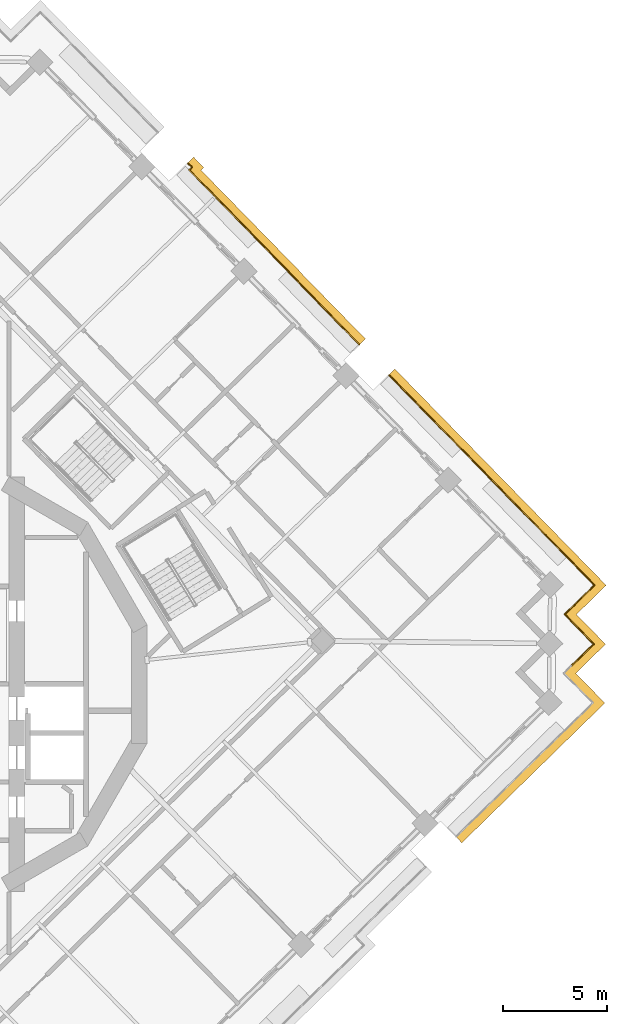
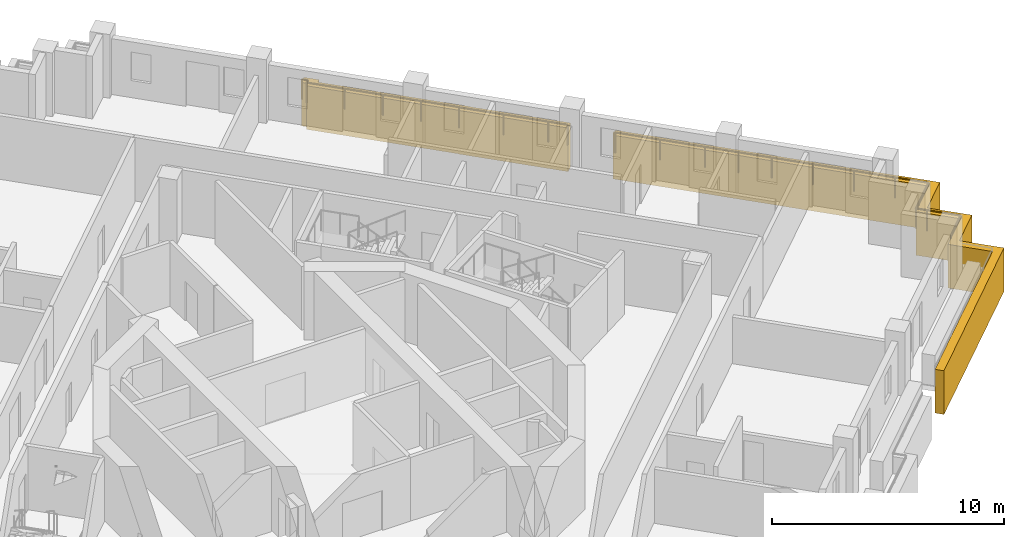
# One storey, part 16 of 17: 2 coverings, 2 railings.
"""IFC4 building model written with IfcOpenShell, lengths in metres."""

from ifc_helpers import new_model, si_unit, direction, frame, origin, origin_2d, place, context, subcontext, project, spatial, polyline, circle, outline, extrude, material, type_object, element, save


model = new_model("IFC4")

# Units and contexts
model_context = context("Model", 3, precision=1e-05, world=origin(), true_north=direction((0.0, 1.0)))
body_context = subcontext(model_context, "Body", "Model", "MODEL_VIEW")
ifc_project = project(units=[si_unit("LENGTHUNIT", "METRE"), si_unit("AREAUNIT", "SQUARE_METRE"), si_unit("VOLUMEUNIT", "CUBIC_METRE"), si_unit("PLANEANGLEUNIT", "RADIAN"), si_unit("MASSUNIT", "GRAM", prefix="KILO")], contexts=[model_context])

# Site, building, storey
site_placement = place(None, origin())
site = spatial("IfcSite", under=ifc_project, at=site_placement, CompositionType="ELEMENT")
building_placement = place(site_placement, origin())
building = spatial("IfcBuilding", under=site, at=building_placement, Name="Cantera Rosa Tower", CompositionType="ELEMENT")
storey_placement = place(building_placement, frame((0.0, 0.0, 227.0)))
storey = spatial("IfcBuildingStorey", under=building, at=storey_placement, Name="L49", CompositionType="ELEMENT", Elevation=227.0)

# Railings
ifc_material_1 = material(Name="Stainless steel and laminated glass", Category="steel")
railing_type = type_object("IfcRailingType", Name="GUARD 1100", PredefinedType="BALUSTRADE", material=ifc_material_1)
railing_1_placement = place(storey_placement, frame((22.26416015625, 14.845703125, 0.0)))
element("IfcRailing", 1, at=railing_1_placement, inside=storey, type_object=railing_type, Name="GUARD L49-8", PredefinedType="BALUSTRADE", context=body_context, shape_type="SweptSolid", body=[
    extrude(circle(Radius=0.030029296875, at=origin_2d()), frame((0.0, 0.0, 1.070068359375), z_axis=(0.700106234421, -0.714038696798, 0.0), x_axis=(0.714038696798, 0.700106234421, 0.0)), (0.0, 0.0, 1.0), 0.070068359375),
    extrude(circle(Radius=0.030029296875, at=origin_2d()), frame((0.049072265625, -0.050048828125, 1.070068359375), z_axis=(0.698829866575, -0.715287926351, 0.0), x_axis=(0.715287926351, 0.698829866575, 0.0)), (0.0, 0.0, 1.0), 4.02001953125),
    extrude(circle(Radius=0.030029296875, at=origin_2d()), frame((2.8583984375, -2.925537109375, 1.070068359375), z_axis=(0.698839281014, -0.715278728407, 0.0), x_axis=(0.715278728407, 0.698839281014, 0.0)), (0.0, 0.0, 1.0), 3.0),
    extrude(circle(Radius=0.030029296875, at=origin_2d()), frame((4.954833984375, -5.0712890625, 1.070068359375), z_axis=(0.698810055914, -0.715307280652, 0.0), x_axis=(0.715307280652, 0.698810055914, 0.0)), (0.0, 0.0, 1.0), 5.52001953125),
    extrude(circle(Radius=0.030029296875, at=origin_2d()), frame((8.812255859375, -9.019775390625, 1.070068359375), z_axis=(0.698921594874, -0.71519829713, 0.0), x_axis=(0.71519829713, 0.698921594874, 0.0)), (0.0, 0.0, 1.0), 1.5),
    extrude(circle(Radius=0.030029296875, at=origin_2d()), frame((9.860595703125, -10.092529296875, 1.070068359375), z_axis=(-0.715277793538, -0.698840237873, 0.0), x_axis=(0.698840237873, -0.715277793538, 0.0)), (0.0, 0.0, 1.0), 1.5),
    extrude(circle(Radius=0.030029296875, at=origin_2d()), frame((8.78759765625, -11.140869140625, 1.070068359375), z_axis=(-0.715359149995, -0.698756958118, 0.0), x_axis=(0.698756958118, -0.715359149995, 0.0)), (0.0, 0.0, 1.0), 0.5),
    extrude(circle(Radius=0.030029296875, at=origin_2d()), frame((8.429931640625, -11.490234375, 1.070068359375), z_axis=(0.699006712162, -0.715115107065, 0.0), x_axis=(0.715115107065, 0.699006712162, 0.0)), (0.0, 0.0, 1.0), 0.500244140625),
    extrude(circle(Radius=0.030029296875, at=origin_2d()), frame((8.779541015625, -11.847900390625, 1.070068359375), z_axis=(0.698756958118, -0.715359149995, 0.0), x_axis=(0.715359149995, 0.698756958118, 0.0)), (0.0, 0.0, 1.0), 1.5),
    extrude(circle(Radius=0.030029296875, at=origin_2d()), frame((9.82763671875, -12.9208984375, 1.070068359375), z_axis=(-0.71519829713, -0.698921594874, 0.0), x_axis=(0.698921594874, -0.71519829713, 0.0)), (0.0, 0.0, 1.0), 1.5),
    extrude(circle(Radius=0.02490234375, at=origin_2d()), origin(), (0.0, 0.0, 1.0), 1.0400390625),
    extrude(circle(Radius=0.02490234375, at=origin_2d()), frame((0.049072265625, -0.050048828125, 0.0)), (0.0, 0.0, 1.0), 1.0400390625),
    extrude(circle(Radius=0.02490234375, at=origin_2d()), frame((1.45361328125, -1.48779296875, 0.0)), (0.0, 0.0, 1.0), 1.0400390625),
    extrude(circle(Radius=0.02490234375, at=origin_2d()), frame((2.8583984375, -2.925537109375, 0.0)), (0.0, 0.0, 1.0), 1.0400390625),
    extrude(circle(Radius=0.02490234375, at=origin_2d()), frame((3.90673828125, -3.99853515625, 0.0)), (0.0, 0.0, 1.0), 1.0400390625),
    extrude(circle(Radius=0.02490234375, at=origin_2d()), frame((4.954833984375, -5.0712890625, 0.0)), (0.0, 0.0, 1.0), 1.0400390625),
    extrude(circle(Radius=0.02490234375, at=origin_2d()), frame((6.24072265625, -6.387451171875, 0.0)), (0.0, 0.0, 1.0), 1.0400390625),
    extrude(circle(Radius=0.02490234375, at=origin_2d()), frame((7.5263671875, -7.70361328125, 0.0)), (0.0, 0.0, 1.0), 1.0400390625),
    extrude(circle(Radius=0.02490234375, at=origin_2d()), frame((8.812255859375, -9.019775390625, 0.0)), (0.0, 0.0, 1.0), 1.0400390625),
    extrude(circle(Radius=0.02490234375, at=origin_2d()), frame((9.860595703125, -10.092529296875, 0.0)), (0.0, 0.0, 1.0), 1.0400390625),
    extrude(circle(Radius=0.02490234375, at=origin_2d()), frame((8.78759765625, -11.140869140625, 0.0)), (0.0, 0.0, 1.0), 1.0400390625),
    extrude(circle(Radius=0.02490234375, at=origin_2d()), frame((8.429931640625, -11.490234375, 0.0)), (0.0, 0.0, 1.0), 1.0400390625),
    extrude(circle(Radius=0.02490234375, at=origin_2d()), frame((8.779541015625, -11.847900390625, 0.0)), (0.0, 0.0, 1.0), 1.0400390625),
    extrude(circle(Radius=0.02490234375, at=origin_2d()), frame((9.82763671875, -12.9208984375, 0.0)), (0.0, 0.0, 1.0), 1.0400390625),
    extrude(circle(Radius=0.02490234375, at=origin_2d()), frame((8.7548828125, -13.96923828125, 0.0)), (0.0, 0.0, 1.0), 1.0400390625),
])
railing_2_placement = place(storey_placement, frame((12.595703125, 25.028076171875, 0.0)))
element("IfcRailing", 2, at=railing_2_placement, inside=storey, type_object=railing_type, Name="GUARD L49-9", PredefinedType="BALUSTRADE", context=body_context, shape_type="SweptSolid", body=[
    extrude(circle(Radius=0.030029296875, at=origin_2d()), frame((0.0, 0.0, 1.070068359375), z_axis=(0.698922436913, -0.715197474254, 0.0), x_axis=(0.715197474254, 0.698922436913, 0.0)), (0.0, 0.0, 1.0), 0.27001953125),
    extrude(circle(Radius=0.030029296875, at=origin_2d()), frame((0.188720703125, -0.193115234375, 1.070068359375), z_axis=(-0.715589832222, -0.698520716958, 0.0), x_axis=(0.698520716958, -0.715589832222, 0.0)), (0.0, 0.0, 1.0), 0.18603515625),
    extrude(circle(Radius=0.030029296875, at=origin_2d()), frame((0.0556640625, -0.322998046875, 1.070068359375), z_axis=(0.698824551526, -0.715293119067, 0.0), x_axis=(0.715293119067, 0.698824551526, 0.0)), (0.0, 0.0, 1.0), 6.834228515625),
    extrude(circle(Radius=0.030029296875, at=origin_2d()), frame((4.83154296875, -5.21142578125, 1.070068359375), z_axis=(-0.715781948377, -0.698323852075, 0.0), x_axis=(0.698323852075, -0.715781948377, 0.0)), (0.0, 0.0, 1.0), 0.013916015625),
    extrude(circle(Radius=0.030029296875, at=origin_2d()), frame((4.821533203125, -5.22119140625, 1.070068359375), z_axis=(0.698862096229, -0.715256436849, 0.0), x_axis=(0.715256436849, 0.698862096229, 0.0)), (0.0, 0.0, 1.0), 4.005859375),
    extrude(circle(Radius=0.030029296875, at=origin_2d()), frame((7.62109375, -8.08642578125, 1.070068359375), z_axis=(0.698779602308, -0.715337030636, 0.0), x_axis=(0.715337030636, 0.698779602308, 0.0)), (0.0, 0.0, 1.0), 0.869873046875),
    extrude(circle(Radius=0.02490234375, at=origin_2d()), origin(), (0.0, 0.0, 1.0), 1.0400390625),
    extrude(circle(Radius=0.02490234375, at=origin_2d()), frame((0.188720703125, -0.193115234375, 0.0)), (0.0, 0.0, 1.0), 1.0400390625),
    extrude(circle(Radius=0.02490234375, at=origin_2d()), frame((0.0556640625, -0.322998046875, 0.0)), (0.0, 0.0, 1.0), 1.0400390625),
    extrude(circle(Radius=0.02490234375, at=origin_2d()), frame((1.24951171875, -1.545166015625, 0.0)), (0.0, 0.0, 1.0), 1.0400390625),
    extrude(circle(Radius=0.02490234375, at=origin_2d()), frame((2.443603515625, -2.76708984375, 0.0)), (0.0, 0.0, 1.0), 1.0400390625),
    extrude(circle(Radius=0.02490234375, at=origin_2d()), frame((3.6376953125, -3.9892578125, 0.0)), (0.0, 0.0, 1.0), 1.0400390625),
    extrude(circle(Radius=0.02490234375, at=origin_2d()), frame((4.83154296875, -5.21142578125, 0.0)), (0.0, 0.0, 1.0), 1.0400390625),
    extrude(circle(Radius=0.02490234375, at=origin_2d()), frame((4.821533203125, -5.22119140625, 0.0)), (0.0, 0.0, 1.0), 1.0400390625),
    extrude(circle(Radius=0.02490234375, at=origin_2d()), frame((6.22119140625, -6.65380859375, 0.0)), (0.0, 0.0, 1.0), 1.0400390625),
    extrude(circle(Radius=0.02490234375, at=origin_2d()), frame((7.62109375, -8.08642578125, 0.0)), (0.0, 0.0, 1.0), 1.0400390625),
    extrude(circle(Radius=0.02490234375, at=origin_2d()), frame((8.22900390625, -8.708740234375, 0.0)), (0.0, 0.0, 1.0), 1.0400390625),
])

# Coverings
ifc_material_2 = material(Name="Cantera stone", Category="masonry")
covering_type = type_object("IfcCoveringType", Name="TRAY FASCIA 400", PredefinedType="CLADDING", material=ifc_material_2)
covering_1_placement = place(storey_placement, frame((0.0, 0.0, -1.39990234375)))
element("IfcCovering", 3, at=covering_1_placement, inside=storey, type_object=covering_type, Name="TRAY FASCIA L49-05", PredefinedType="CLADDING", context=body_context, shape_type="SweptSolid", body=[
    extrude(outline(polyline([(13.35009765625, 24.828369140625), (13.217041015625, 24.698486328125), (17.992919921875, 19.810302734375), (17.98291015625, 19.80029296875), (20.502685546875, 17.22119140625), (21.124755859375, 16.58447265625), (20.838623046875, 16.304931640625), (20.216796875, 16.941650390625), (17.417236328125, 19.806884765625), (17.42724609375, 19.816650390625), (12.6513671875, 24.705078125), (12.784423828125, 24.8349609375), (12.581787109375, 25.04248046875), (12.867919921875, 25.322021484375), (13.35009765625, 24.828369140625)])), origin(), (0.0, 0.0, 1.0), 2.2998046875),
])
covering_2_placement = place(storey_placement, frame((0.0, 0.0, -1.39990234375)))
element("IfcCovering", 4, at=covering_2_placement, inside=storey, type_object=covering_type, Name="TRAY FASCIA L49-06", PredefinedType="CLADDING", context=body_context, shape_type="SweptSolid", body=[
    extrude(outline(polyline([(22.599365234375, 15.0751953125), (25.40869140625, 12.19970703125), (27.505126953125, 10.053955078125), (31.362548828125, 6.10546875), (32.6904296875, 4.74658203125), (31.331298828125, 3.418701171875), (31.259765625, 3.348876953125), (31.329833984375, 3.27734375), (32.657470703125, 1.918212890625), (31.298583984375, 0.590576171875), (31.22705078125, 0.5205078125), (32.62451171875, -0.909912109375), (31.265625, -2.23779296875), (26.39208984375, -7.00390625), (25.753173828125, -7.628173828125), (25.4736328125, -7.342041015625), (26.112548828125, -6.7177734375), (26.1103515625, -6.71533203125), (30.986083984375, -1.95166015625), (32.058837890625, -0.9033203125), (31.0107421875, 0.16943359375), (30.661376953125, 0.527099609375), (31.01904296875, 0.87646484375), (32.091796875, 1.9248046875), (31.043701171875, 2.997802734375), (30.694091796875, 3.35546875), (31.0517578125, 3.704833984375), (32.124755859375, 4.753173828125), (31.076416015625, 5.825927734375), (27.218994140625, 9.7744140625), (25.12255859375, 11.920166015625), (22.313232421875, 14.795654296875), (22.250244140625, 14.860107421875), (22.536376953125, 15.1396484375), (22.599365234375, 15.0751953125)])), origin(), (0.0, 0.0, 1.0), 2.2998046875),
])

save(model, "model.ifc")
